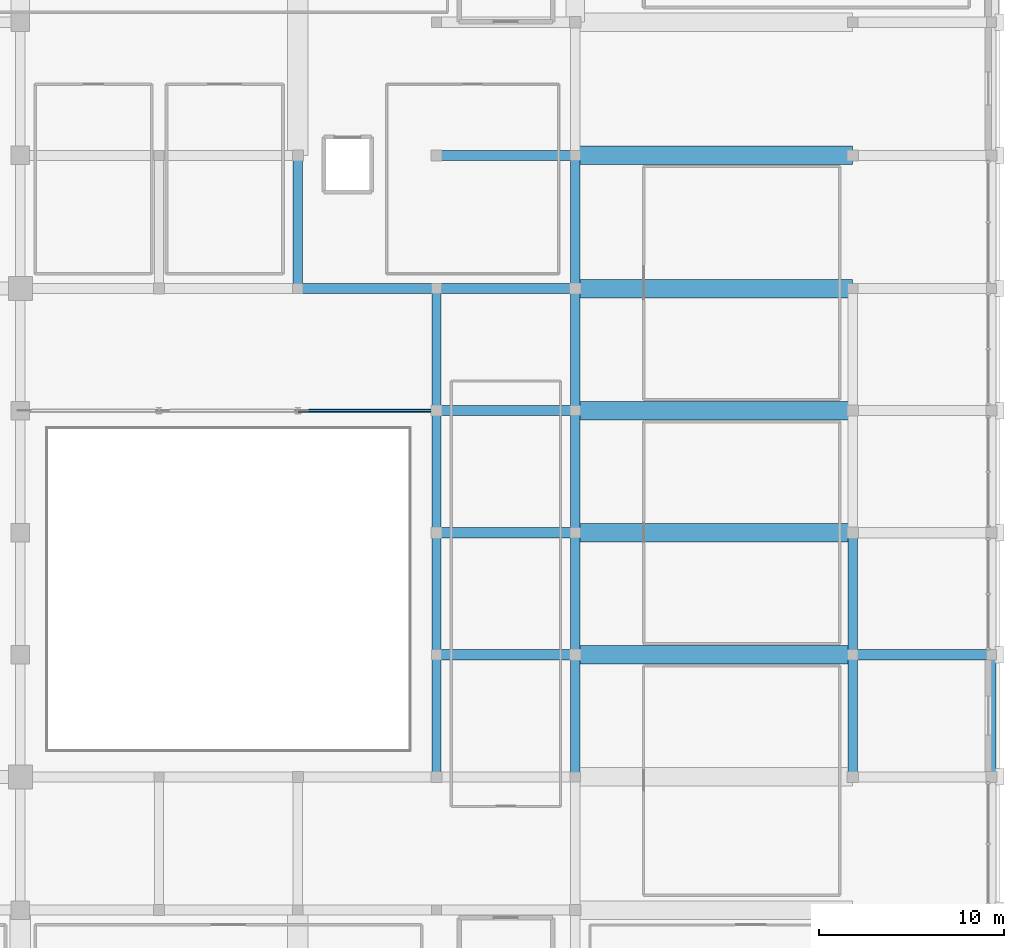
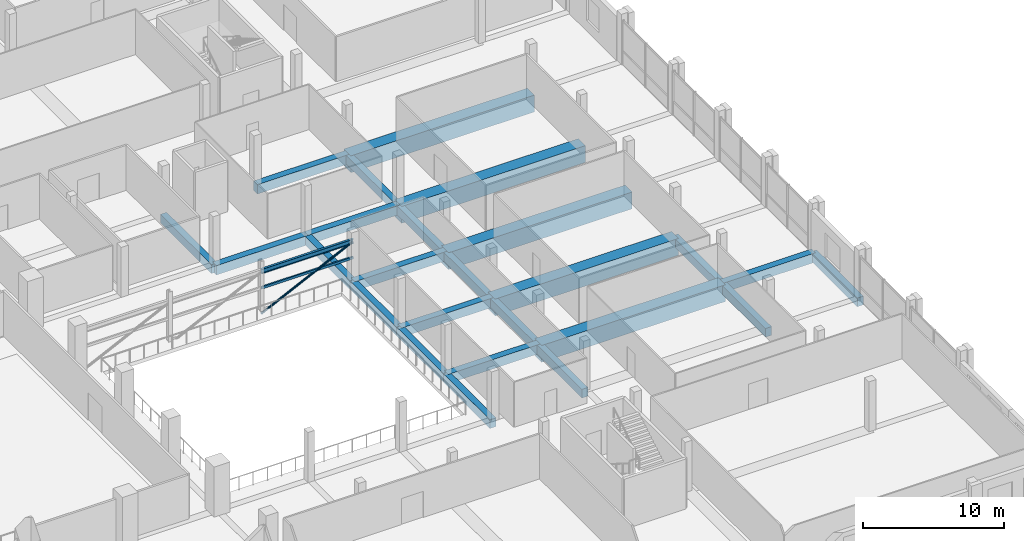
# One storey, part 35 of 68: 26 beams, 2 members.
"""IFC4 building model written with IfcOpenShell, lengths in metres."""

from ifc_helpers import new_model, si_unit, direction, frame, origin, origin_2d, place, context, subcontext, project, spatial, rectangle, hollow_rectangle, hollow_circle, i_section, extrude, material, material_profile, profile_set, type_object, element, save


model = new_model("IFC4")

# Units and contexts
model_context = context("Model", 3, precision=1e-05, world=origin(), true_north=direction((0.0, 1.0)))
body_context = subcontext(model_context, "Body", "Model", "MODEL_VIEW")
ifc_project = project(units=[si_unit("LENGTHUNIT", "METRE"), si_unit("AREAUNIT", "SQUARE_METRE"), si_unit("VOLUMEUNIT", "CUBIC_METRE"), si_unit("PLANEANGLEUNIT", "RADIAN"), si_unit("MASSUNIT", "GRAM", prefix="KILO")], contexts=[model_context])

# Site, building, storey
site_placement = place(None, origin())
site = spatial("IfcSite", under=ifc_project, at=site_placement, CompositionType="ELEMENT")
building_placement = place(site_placement, origin())
building = spatial("IfcBuilding", under=site, at=building_placement, Name="Akrevak Sports Hall", CompositionType="ELEMENT")
storey_placement = place(building_placement, frame((0.0, 0.0, 9.39990234375)))
storey = spatial("IfcBuildingStorey", under=building, at=storey_placement, Name="L02", CompositionType="ELEMENT", Elevation=9.39990234375)

# Beams
ifc_material_1 = material(Name="Concrete C50/60", Category="concrete")
ifc_material_profile_1 = material_profile(ifc_material_1, rectangle(XDim=1.0, YDim=1.449951171875, at=origin_2d()), Name="BM 1000x1450", Category="concrete")
ifc_profile_set_1 = profile_set([ifc_material_profile_1], Name="Concrete C50/60")
beam_type_1 = type_object("IfcBeamType", Name="STR-BM-LG1000x1450", PredefinedType="BEAM", material=ifc_profile_set_1)
for number, where, z_axis, x_axis, name in (
    (1, (145.5, 35.39990234375, -0.724853515625), (1.0, 0.0, 0.0), (0.0, 1.0, 0.0), "Girder F/20-22 (L02)"),
    (2, (145.5, 42.0, -0.724853515625), (1.0, 0.0, 0.0), (0.0, 1.0, 0.0), "Girder G/20-22 (L02)"),
    (3, (145.5, 48.60009765625, -0.724853515625), (1.0, 0.0, 0.0), (0.0, 1.0, 0.0), "Girder H/20-22 (L02)"),
    (4, (145.5, 55.199951171875, -0.724853515625), (1.0, 0.0, 0.0), (0.0, 1.0, 0.0), "Girder I/20-22 (L02)"),
    (5, (145.5, 62.39990234375, -0.724853515625), (1.0, 0.0, 0.0), (0.0, 1.0, 0.0), "Girder J/20-22 (L02)"),
):
    element("IfcBeam", number, at=place(storey_placement, frame(where, z_axis=z_axis, x_axis=x_axis)), inside=storey, type_object=beam_type_1, Name=name, PredefinedType="BEAM", context=body_context, shape_type="SweptSolid", body=[
        extrude(rectangle(XDim=1.0, YDim=1.449951171875, at=origin_2d()), origin(), (0.0, 0.0, 1.0), 15.0),
    ])
ifc_material_2 = material(Name="Concrete C40/50", Category="concrete")
ifc_material_profile_2 = material_profile(ifc_material_2, rectangle(XDim=0.5, YDim=0.75, at=origin_2d()), Name="BM 500x750", Category="concrete")
ifc_profile_set_2 = profile_set([ifc_material_profile_2], Name="Concrete C40/50")
beam_type_2 = type_object("IfcBeamType", Name="STR-BM-RC500x750", PredefinedType="BEAM", material=ifc_profile_set_2)
beam_1_placement = place(storey_placement, frame((130.5, 55.199951171875, -0.375), z_axis=(0.0, 1.0, 0.0), x_axis=(-1.0, 0.0, 0.0)))
element("IfcBeam", 6, at=beam_1_placement, inside=storey, type_object=beam_type_2, Name="Girder 18/I-J (L02)", PredefinedType="BEAM", context=body_context, shape_type="SweptSolid", body=[
    extrude(rectangle(XDim=0.5, YDim=0.75, at=origin_2d()), origin(), (0.0, 0.0, 1.0), 7.199951171875),
])
beam_2_placement = place(storey_placement, frame((138.0, 28.800048828125, -0.375), z_axis=(0.0, 1.0, 0.0), x_axis=(-1.0, 0.0, 0.0)))
element("IfcBeam", 7, at=beam_2_placement, inside=storey, type_object=beam_type_2, Name="Girder 19/E-F (L02)", PredefinedType="BEAM", context=body_context, shape_type="SweptSolid", body=[
    extrude(rectangle(XDim=0.5, YDim=0.75, at=origin_2d()), origin(), (0.0, 0.0, 1.0), 6.599853515625),
])
for number, where, z_axis, x_axis, name in (
    (8, (138.0, 35.39990234375, -0.375), (0.0, 1.0, 0.0), (-1.0, 0.0, 0.0), "Girder 19/F-G (L02)"),
    (9, (138.0, 42.0, -0.375), (0.0, 1.0, 0.0), (-1.0, 0.0, 0.0), "Girder 19/G-H (L02)"),
):
    element("IfcBeam", number, at=place(storey_placement, frame(where, z_axis=z_axis, x_axis=x_axis)), inside=storey, type_object=beam_type_2, Name=name, PredefinedType="BEAM", context=body_context, shape_type="SweptSolid", body=[
        extrude(rectangle(XDim=0.5, YDim=0.75, at=origin_2d()), origin(), (0.0, 0.0, 1.0), 6.60009765625),
    ])
for number, where, z_axis, x_axis, name in (
    (10, (138.0, 48.60009765625, -0.375), (0.0, 1.0, 0.0), (-1.0, 0.0, 0.0), "Girder 19/H-I (L02)"),
    (11, (145.5, 28.800048828125, -0.375), (0.0, 1.0, 0.0), (-1.0, 0.0, 0.0), "Girder 20/E-F (L02)"),
):
    element("IfcBeam", number, at=place(storey_placement, frame(where, z_axis=z_axis, x_axis=x_axis)), inside=storey, type_object=beam_type_2, Name=name, PredefinedType="BEAM", context=body_context, shape_type="SweptSolid", body=[
        extrude(rectangle(XDim=0.5, YDim=0.75, at=origin_2d()), origin(), (0.0, 0.0, 1.0), 6.599853515625),
    ])
for number, where, z_axis, x_axis, name in (
    (12, (145.5, 35.39990234375, -0.375), (0.0, 1.0, 0.0), (-1.0, 0.0, 0.0), "Girder 20/F-G (L02)"),
    (13, (145.5, 42.0, -0.375), (0.0, 1.0, 0.0), (-1.0, 0.0, 0.0), "Girder 20/G-H (L02)"),
):
    element("IfcBeam", number, at=place(storey_placement, frame(where, z_axis=z_axis, x_axis=x_axis)), inside=storey, type_object=beam_type_2, Name=name, PredefinedType="BEAM", context=body_context, shape_type="SweptSolid", body=[
        extrude(rectangle(XDim=0.5, YDim=0.75, at=origin_2d()), origin(), (0.0, 0.0, 1.0), 6.60009765625),
    ])
beam_3_placement = place(storey_placement, frame((145.5, 48.60009765625, -0.375), z_axis=(0.0, 1.0, 0.0), x_axis=(-1.0, 0.0, 0.0)))
element("IfcBeam", 14, at=beam_3_placement, inside=storey, type_object=beam_type_2, Name="Girder 20/H-I (L02)", PredefinedType="BEAM", context=body_context, shape_type="SweptSolid", body=[
    extrude(rectangle(XDim=0.5, YDim=0.75, at=origin_2d()), origin(), (0.0, 0.0, 1.0), 6.599853515625),
])
beam_4_placement = place(storey_placement, frame((145.5, 55.199951171875, -0.375), z_axis=(0.0, 1.0, 0.0), x_axis=(-1.0, 0.0, 0.0)))
element("IfcBeam", 15, at=beam_4_placement, inside=storey, type_object=beam_type_2, Name="Girder 20/I-J (L02)", PredefinedType="BEAM", context=body_context, shape_type="SweptSolid", body=[
    extrude(rectangle(XDim=0.5, YDim=0.75, at=origin_2d()), origin(), (0.0, 0.0, 1.0), 7.199951171875),
])
beam_5_placement = place(storey_placement, frame((160.5, 28.800048828125, -0.375), z_axis=(0.0, 1.0, 0.0), x_axis=(-1.0, 0.0, 0.0)))
element("IfcBeam", 16, at=beam_5_placement, inside=storey, type_object=beam_type_2, Name="Girder 22/E-F (L02)", PredefinedType="BEAM", context=body_context, shape_type="SweptSolid", body=[
    extrude(rectangle(XDim=0.5, YDim=0.75, at=origin_2d()), origin(), (0.0, 0.0, 1.0), 6.599853515625),
])
beam_6_placement = place(storey_placement, frame((160.5, 35.39990234375, -0.375), z_axis=(0.0, 1.0, 0.0), x_axis=(-1.0, 0.0, 0.0)))
element("IfcBeam", 17, at=beam_6_placement, inside=storey, type_object=beam_type_2, Name="Girder 22/F-G (L02)", PredefinedType="BEAM", context=body_context, shape_type="SweptSolid", body=[
    extrude(rectangle(XDim=0.5, YDim=0.75, at=origin_2d()), origin(), (0.0, 0.0, 1.0), 6.60009765625),
])
beam_7_placement = place(storey_placement, frame((168.0, 28.800048828125, -0.375), z_axis=(0.0, 1.0, 0.0), x_axis=(-1.0, 0.0, 0.0)))
element("IfcBeam", 18, at=beam_7_placement, inside=storey, type_object=beam_type_2, Name="Girder 23/E-F (L02)", PredefinedType="BEAM", context=body_context, shape_type="SweptSolid", body=[
    extrude(rectangle(XDim=0.5, YDim=0.75, at=origin_2d()), origin(), (0.0, 0.0, 1.0), 6.599853515625),
])
ifc_material_profile_3 = material_profile(ifc_material_2, rectangle(XDim=0.550048828125, YDim=0.800048828125, at=origin_2d()), Name="BM 550x800", Category="concrete")
ifc_profile_set_3 = profile_set([ifc_material_profile_3], Name="Concrete C40/50")
beam_type_3 = type_object("IfcBeamType", Name="STR-BM-RC550x800", PredefinedType="BEAM", material=ifc_profile_set_3)
for number, where, z_axis, x_axis, name in (
    (19, (138.0, 35.39990234375, -0.39990234375), (1.0, 0.0, 0.0), (0.0, 1.0, 0.0), "Girder F/19-20 (L02)"),
    (20, (160.5, 35.39990234375, -0.39990234375), (1.0, 0.0, 0.0), (0.0, 1.0, 0.0), "Girder F/22-23 (L02)"),
    (21, (138.0, 42.0, -0.39990234375), (1.0, 0.0, 0.0), (0.0, 1.0, 0.0), "Girder G/19-20 (L02)"),
    (22, (138.0, 48.60009765625, -0.39990234375), (1.0, 0.0, 0.0), (0.0, 1.0, 0.0), "Girder H/19-20 (L02)"),
    (23, (130.5, 55.199951171875, -0.39990234375), (1.0, 0.0, 0.0), (0.0, 1.0, 0.0), "Girder I/18-19 (L02)"),
    (24, (138.0, 55.199951171875, -0.39990234375), (1.0, 0.0, 0.0), (0.0, 1.0, 0.0), "Girder I/19-20 (L02)"),
    (25, (138.0, 62.39990234375, -0.39990234375), (1.0, 0.0, 0.0), (0.0, 1.0, 0.0), "Girder J/19-20 (L02)"),
):
    element("IfcBeam", number, at=place(storey_placement, frame(where, z_axis=z_axis, x_axis=x_axis)), inside=storey, type_object=beam_type_3, Name=name, PredefinedType="BEAM", context=body_context, shape_type="SweptSolid", body=[
        extrude(rectangle(XDim=0.550048828125, YDim=0.800048828125, at=origin_2d()), origin(), (0.0, 0.0, 1.0), 7.5),
    ])
ifc_material_3 = material(Name="Steel S355", Category="steel")
ifc_material_profile_4 = material_profile(ifc_material_3, i_section(OverallWidth=0.179931640625, OverallDepth=0.39990234375, WebThickness=0.008544921875, FlangeThickness=0.013427734375, FilletRadius=0.02099609375, at=origin_2d()), Name="IPE 400", Category="steel")
ifc_profile_set_4 = profile_set([ifc_material_profile_4], Name="Steel S355")
beam_type_4 = type_object("IfcBeamType", Name="STR-BM-STL-IPE400", PredefinedType="JOIST", material=ifc_profile_set_4)
beam_8_placement = place(storey_placement, frame((130.5, 48.60009765625, 3.3701171875), z_axis=(1.0, 0.0, 0.0), x_axis=(0.0, 1.0, 0.0)))
element("IfcBeam", 26, at=beam_8_placement, inside=storey, type_object=beam_type_4, Name="Climbing Frame Tie Beam 3 (L02)", PredefinedType="JOIST", context=body_context, shape_type="SweptSolid", body=[
    extrude(i_section(OverallWidth=0.179931640625, OverallDepth=0.39990234375, WebThickness=0.008544921875, FlangeThickness=0.013427734375, FilletRadius=0.02099609375, at=origin_2d()), origin(), (0.0, 0.0, 1.0), 7.5),
])

# Members
ifc_material_profile_5 = material_profile(ifc_material_3, hollow_circle(Radius=0.084228515625, WallThickness=0.008056640625, at=origin_2d()), Name="CHS 168.3x8", Category="steel")
ifc_profile_set_5 = profile_set([ifc_material_profile_5], Name="Steel S355")
member_type_1 = type_object("IfcMemberType", Name="STR-MEM-BRACE-CHS168", PredefinedType="BRACE", material=ifc_profile_set_5)
member_1_placement = place(storey_placement, frame((130.5, 48.60009765625, -0.2998046875), z_axis=(0.900590023633, 0.0, 0.434669540378), x_axis=(0.0, 1.0, 0.0)))
element("IfcMember", 27, at=member_1_placement, inside=storey, type_object=member_type_1, Name="Climbing Wall Diagonal Brace BR-3 (L02)", PredefinedType="BRACE", context=body_context, shape_type="SweptSolid", body=[
    extrude(hollow_circle(Radius=0.084228515625, WallThickness=0.008056640625, at=origin_2d()), origin(), (0.0, 0.0, 1.0), 8.327880859375),
])
ifc_material_profile_6 = material_profile(ifc_material_3, hollow_rectangle(XDim=0.1201171875, YDim=0.199951171875, WallThickness=0.010009765625, at=origin_2d()), Name="RHS 200x120x10", Category="steel")
ifc_profile_set_6 = profile_set([ifc_material_profile_6], Name="Steel S355")
member_type_2 = type_object("IfcMemberType", Name="STR-MEM-STR-RHS200", PredefinedType="STRINGER", material=ifc_profile_set_6)
member_2_placement = place(storey_placement, frame((130.5, 48.60009765625, 1.93505859375), z_axis=(1.0, 0.0, 0.0), x_axis=(0.0, 1.0, 0.0)))
element("IfcMember", 28, at=member_2_placement, inside=storey, type_object=member_type_2, Name="Climbing Wall Stringer STG-3 (L02)", PredefinedType="STRINGER", context=body_context, shape_type="SweptSolid", body=[
    extrude(hollow_rectangle(XDim=0.1201171875, YDim=0.199951171875, WallThickness=0.010009765625, at=origin_2d()), origin(), (0.0, 0.0, 1.0), 7.5),
])

save(model, "model.ifc")
